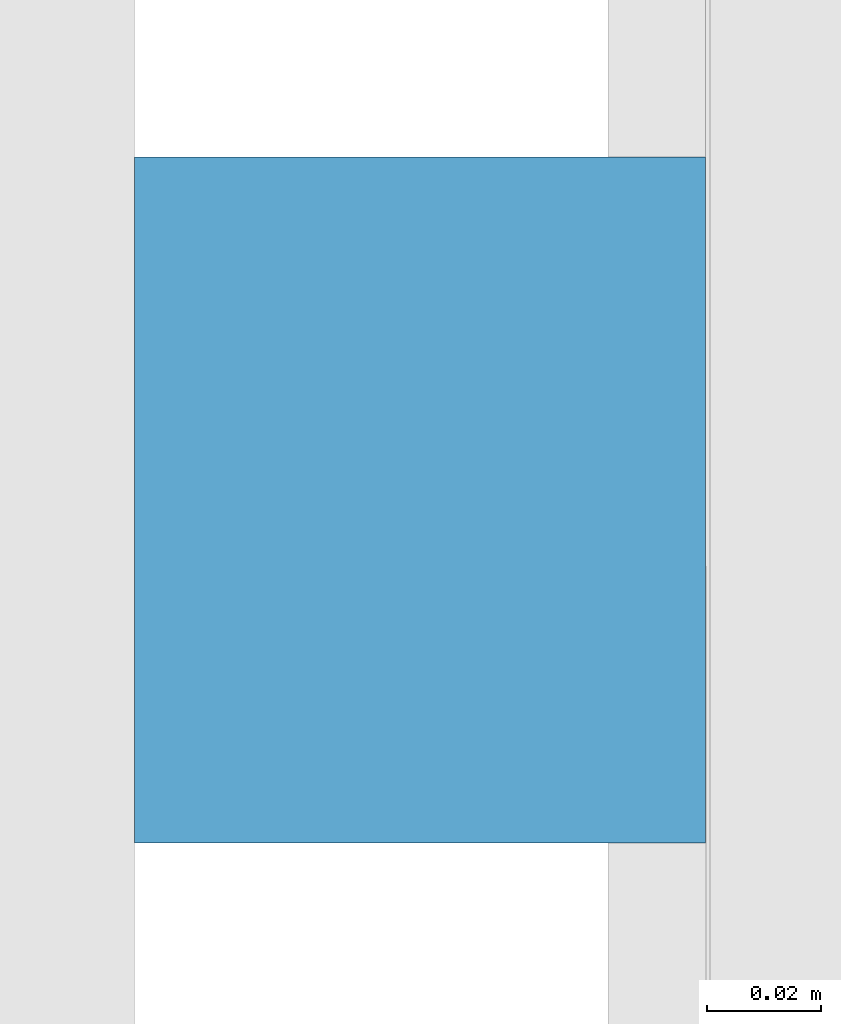
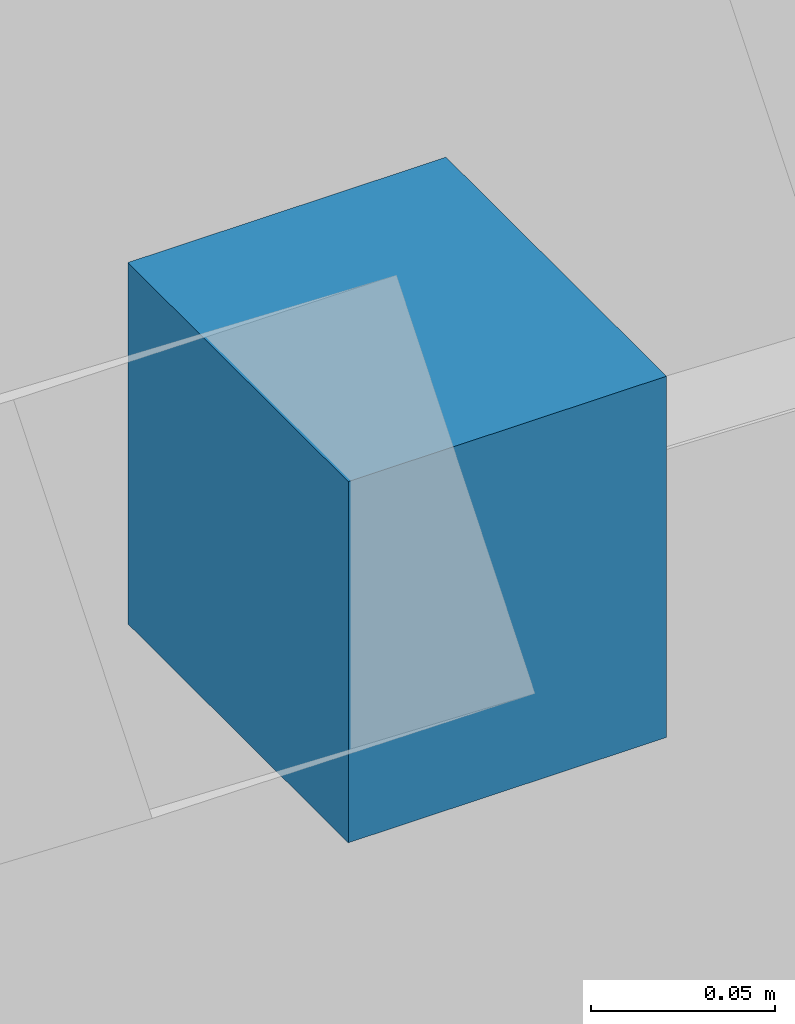
# One storey, part 24 of 27: 1 discrete accessory.
"""IFC4 building model written with IfcOpenShell, lengths in metres."""

from ifc_helpers import new_model, si_unit, direction, frame, origin, origin_2d, place, context, subcontext, project, spatial, rectangle, extrude, material, type_object, element, save


model = new_model("IFC4")

# Units and contexts
model_context = context("Model", 3, precision=1e-05, world=origin(), true_north=direction((0.0, 1.0)))
body_context = subcontext(model_context, "Body", "Model", "MODEL_VIEW")
ifc_project = project(units=[si_unit("LENGTHUNIT", "METRE"), si_unit("AREAUNIT", "SQUARE_METRE"), si_unit("VOLUMEUNIT", "CUBIC_METRE"), si_unit("PLANEANGLEUNIT", "RADIAN"), si_unit("MASSUNIT", "GRAM", prefix="KILO")], contexts=[model_context])

# Site, building, storey
site_placement = place(None, origin())
site = spatial("IfcSite", under=ifc_project, at=site_placement, CompositionType="ELEMENT")
building_placement = place(site_placement, origin())
building = spatial("IfcBuilding", under=site, at=building_placement, Name="Crosswind Convention Tower", CompositionType="ELEMENT")
storey_placement = place(building_placement, frame((0.0, 0.0, 79.39990234375)))
storey = spatial("IfcBuildingStorey", under=building, at=storey_placement, Name="L14", CompositionType="ELEMENT", Elevation=79.39990234375)

# Discrete accessory
ifc_material = material(Name="Stainless steel", Category="steel")
discrete_accessory_type = type_object("IfcDiscreteAccessoryType", Name="BAGUETTE BRACKET BK2", PredefinedType="BRACKET", material=ifc_material)
discrete_accessory_placement = place(storey_placement, frame((88.092041015625, 110.333740234375, 1.4775390625), z_axis=(0.0, 0.0, 1.0), x_axis=(0.0, -1.0, 0.0)))
element("IfcDiscreteAccessory", 1, at=discrete_accessory_placement, inside=storey, type_object=discrete_accessory_type, Name="BK2 baguette bracket", PredefinedType="BRACKET", context=body_context, shape_type="SweptSolid", body=[
    extrude(rectangle(XDim=0.1201171875, YDim=0.10009765625, at=origin_2d()), origin(), (0.0, 0.0, 1.0), 0.1201171875),
])

save(model, "model.ifc")
